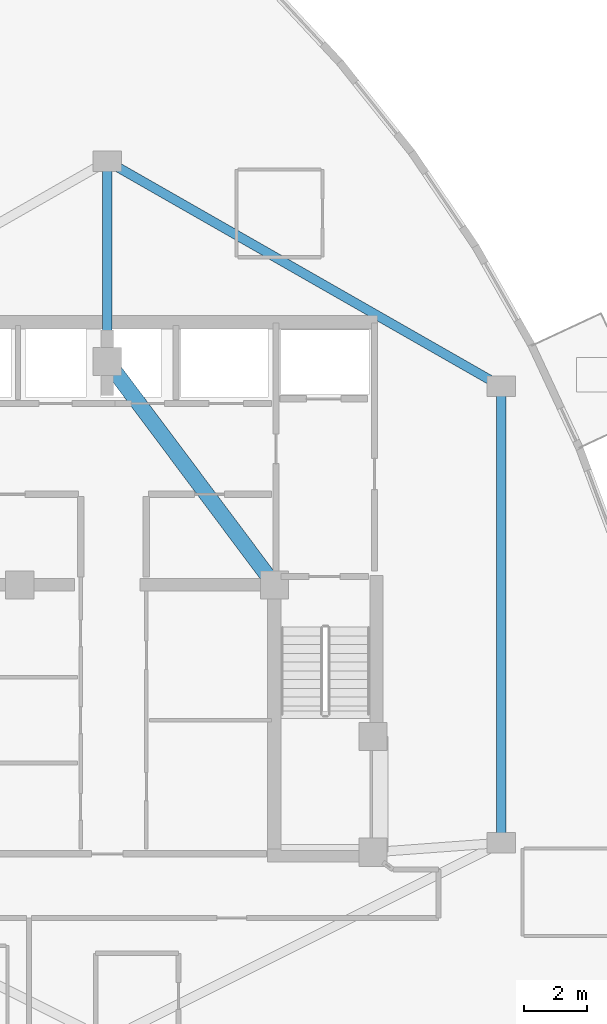
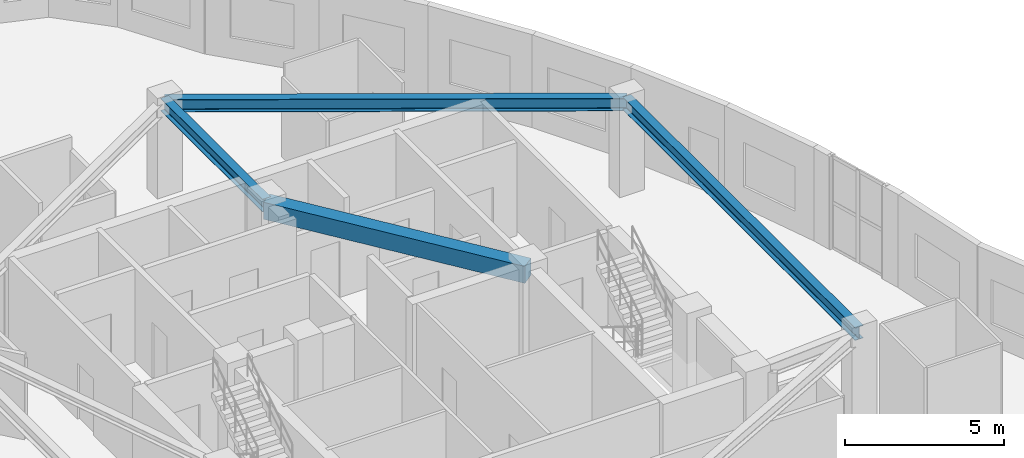
# One storey, part 6 of 16: 4 beams.
"""IFC4 building model written with IfcOpenShell, lengths in metres."""

from ifc_helpers import new_model, si_unit, direction, frame, origin, origin_2d, place, context, subcontext, project, spatial, rectangle, i_section, extrude, material, material_profile, profile_set, type_object, element, save


model = new_model("IFC4")

# Units and contexts
model_context = context("Model", 3, precision=1e-05, world=origin(), true_north=direction((0.0, 1.0)))
body_context = subcontext(model_context, "Body", "Model", "MODEL_VIEW")
ifc_project = project(units=[si_unit("LENGTHUNIT", "METRE"), si_unit("AREAUNIT", "SQUARE_METRE"), si_unit("VOLUMEUNIT", "CUBIC_METRE"), si_unit("PLANEANGLEUNIT", "RADIAN"), si_unit("MASSUNIT", "GRAM", prefix="KILO")], contexts=[model_context])

# Site, building, storey
site_placement = place(None, origin())
site = spatial("IfcSite", under=ifc_project, at=site_placement, CompositionType="ELEMENT")
building_placement = place(site_placement, origin())
building = spatial("IfcBuilding", under=site, at=building_placement, Name="Miruveldt Soraemaru", CompositionType="ELEMENT")
storey_placement = place(building_placement, frame((0.0, 0.0, 271.25)))
storey = spatial("IfcBuildingStorey", under=building, at=storey_placement, Name="L74", CompositionType="ELEMENT", Elevation=271.25)

# Beams
ifc_material_1 = material(Name="Concrete C50/60 (50 MPa)", Category="concrete")
ifc_material_profile_1 = material_profile(ifc_material_1, rectangle(XDim=0.5, YDim=0.64990234375, at=origin_2d()), Name="Concrete C50/60 (50 MPa)", Category="concrete")
ifc_profile_set_1 = profile_set([ifc_material_profile_1], Name="Concrete C50/60 (50 MPa)")
beam_type_1 = type_object("IfcBeamType", Name="BM-RC-500x650", PredefinedType="BEAM", material=ifc_profile_set_1)
beam_1_placement = place(storey_placement, frame((49.35009765625, 44.050048828125, 3.239990234375), z_axis=(-0.599116023999, 0.800662219533, 0.0), x_axis=(-0.800662219533, -0.599116023999, 0.0)))
element("IfcBeam", 1, at=beam_1_placement, inside=storey, type_object=beam_type_1, Name="L74 Core Tie Beam 5", PredefinedType="BEAM", context=body_context, shape_type="SweptSolid", body=[
    extrude(rectangle(XDim=0.5, YDim=0.64990234375, at=origin_2d()), origin(), (0.0, 0.0, 1.0), 8.929931640625),
])
ifc_material_2 = material(Name="Steel SM355 (355 MPa)", Category="steel")
ifc_material_profile_2 = material_profile(ifc_material_2, i_section(OverallWidth=0.300048828125, OverallDepth=0.488037109375, WebThickness=0.010986328125, FlangeThickness=0.01806640625, FilletRadius=0.02587890625, at=origin_2d()), Name="Steel SM355 (355 MPa)", Category="steel")
ifc_profile_set_2 = profile_set([ifc_material_profile_2], Name="Steel SM355 (355 MPa)")
beam_type_2 = type_object("IfcBeamType", Name="BM-ST-H488", PredefinedType="BEAM", material=ifc_profile_set_2)
beam_2_placement = place(storey_placement, frame((44.0, 57.60009765625, 3.321044921875), z_axis=(0.868239001029, -0.496146185203, 0.0), x_axis=(0.496146185203, 0.868239001029, 0.0)))
element("IfcBeam", 2, at=beam_2_placement, inside=storey, type_object=beam_type_2, Name="L74 Inner Ring Girder 1", PredefinedType="BEAM", context=body_context, shape_type="SweptSolid", body=[
    extrude(i_section(OverallWidth=0.300048828125, OverallDepth=0.488037109375, WebThickness=0.010986328125, FlangeThickness=0.01806640625, FilletRadius=0.02587890625, at=origin_2d()), origin(), (0.0, 0.0, 1.0), 14.51220703125),
])
beam_3_placement = place(storey_placement, frame((44.0, 51.199951171875, 3.321044921875), z_axis=(0.0, 1.0, 0.0), x_axis=(-1.0, 0.0, 0.0)))
element("IfcBeam", 3, at=beam_3_placement, inside=storey, type_object=beam_type_2, Name="L74 Core-to-Inner Radial Girder 1", PredefinedType="BEAM", context=body_context, shape_type="SweptSolid", body=[
    extrude(i_section(OverallWidth=0.300048828125, OverallDepth=0.488037109375, WebThickness=0.010986328125, FlangeThickness=0.01806640625, FilletRadius=0.02587890625, at=origin_2d()), origin(), (0.0, 0.0, 1.0), 6.400146484375),
])
beam_4_placement = place(storey_placement, frame((56.60009765625, 50.39990234375, 3.321044921875), z_axis=(0.0, -1.0, 0.0), x_axis=(1.0, 0.0, 0.0)))
element("IfcBeam", 4, at=beam_4_placement, inside=storey, type_object=beam_type_2, Name="L74 Inner Ring Girder 2", PredefinedType="BEAM", context=body_context, shape_type="SweptSolid", body=[
    extrude(i_section(OverallWidth=0.300048828125, OverallDepth=0.488037109375, WebThickness=0.010986328125, FlangeThickness=0.01806640625, FilletRadius=0.02587890625, at=origin_2d()), origin(), (0.0, 0.0, 1.0), 14.599853515625),
])

save(model, "model.ifc")
